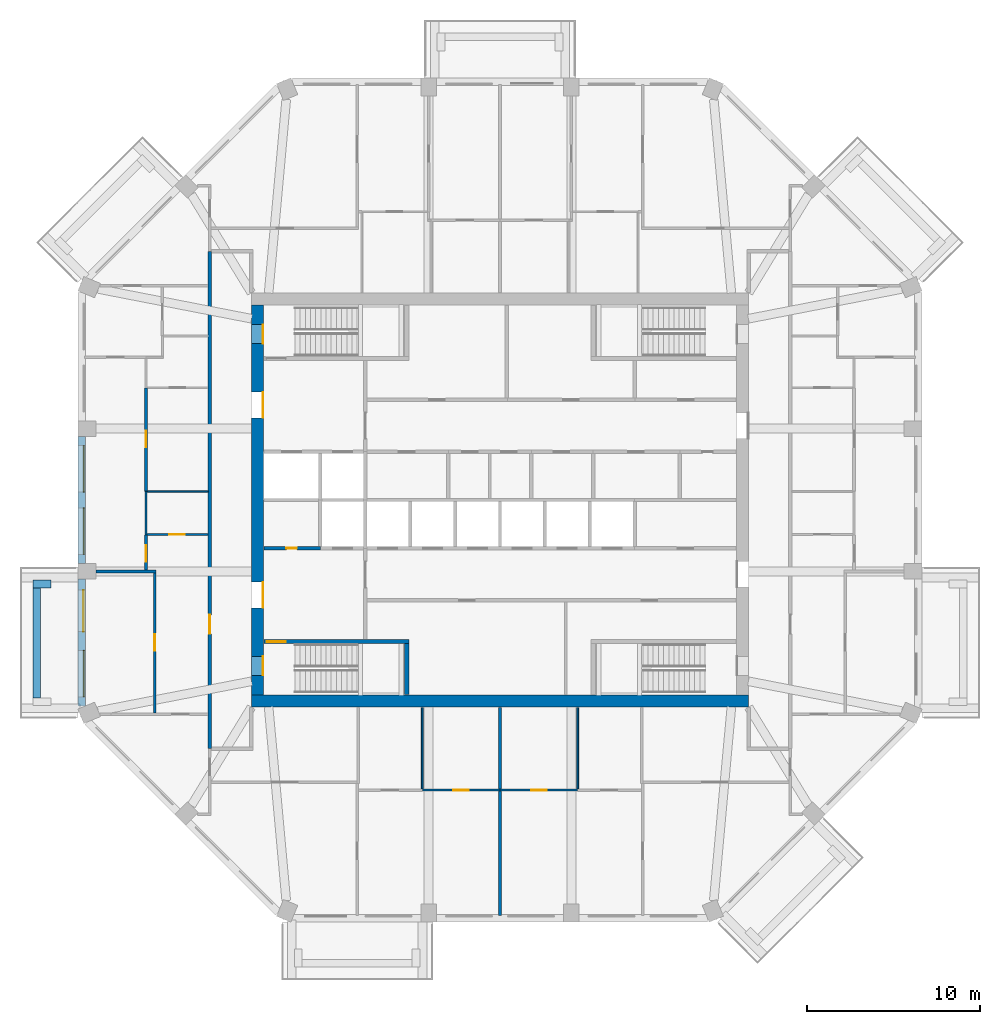
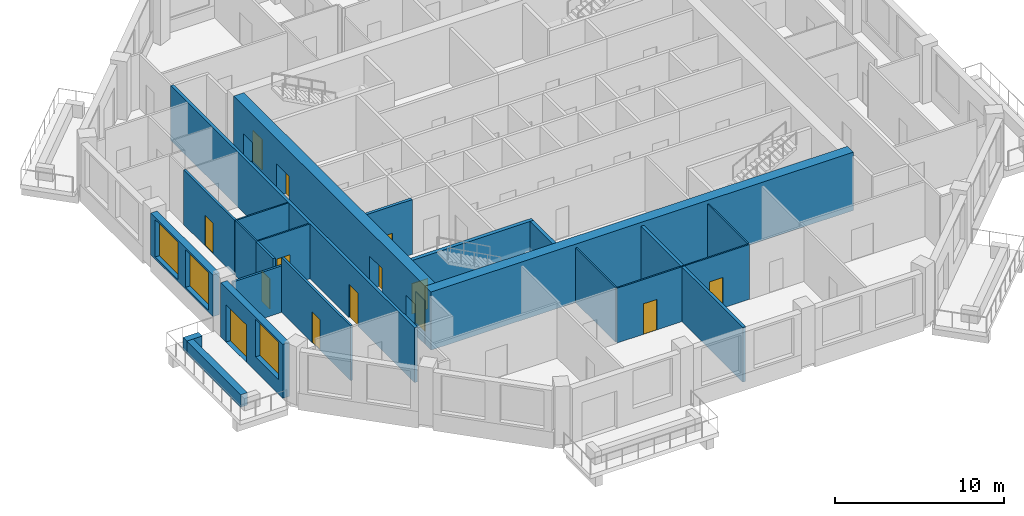
# One storey, part 3 of 10: 22 walls, 14 doors, 3 windows, 17 openings.
"""IFC4 building model written with IfcOpenShell, lengths in metres."""

from ifc_helpers import new_model, si_unit, direction, frame, frame_2d, origin, place, context, subcontext, project, spatial, rectangle, extrude, material, layer, layer_set, type_object, element, fill, save


model = new_model("IFC4")

# Units and contexts
model_context = context("Model", 3, precision=1e-05, world=origin(), true_north=direction((0.0, 1.0)))
body_context = subcontext(model_context, "Body", "Model", "MODEL_VIEW")
ifc_project = project(units=[si_unit("LENGTHUNIT", "METRE"), si_unit("AREAUNIT", "SQUARE_METRE"), si_unit("VOLUMEUNIT", "CUBIC_METRE"), si_unit("PLANEANGLEUNIT", "RADIAN"), si_unit("MASSUNIT", "GRAM", prefix="KILO")], contexts=[model_context])

# Site, building, storey
site_placement = place(None, origin())
site = spatial("IfcSite", under=ifc_project, at=site_placement, CompositionType="ELEMENT")
building_placement = place(site_placement, origin())
building = spatial("IfcBuilding", under=site, at=building_placement, Name="Msitu Wima Residences", CompositionType="ELEMENT")
storey_placement = place(building_placement, frame((0.0, 0.0, 191.699951171875)))
storey = spatial("IfcBuildingStorey", under=building, at=storey_placement, Name="L44", CompositionType="ELEMENT", Elevation=191.699951171875)

# Walls
ifc_material_1 = material(Name="Facing brick")
ifc_layer_1 = layer(ifc_material_1, 0.06494140625, Name="Facing brick")
ifc_material_2 = material(Name="Concrete C40/50", Category="concrete")
ifc_layer_2 = layer(ifc_material_2, 0.156005859375, Name="Concrete C40/50")
ifc_material_3 = material(Name="Waterproofing membrane")
ifc_layer_3 = layer(ifc_material_3, 0.00390625, Name="Waterproofing membrane")
ifc_material_4 = material(Name="Planting soil and planting")
ifc_layer_4 = layer(ifc_material_4, 0.22509765625, Name="Planting soil and planting")
ifc_layer_set_1 = layer_set([ifc_layer_1, ifc_layer_2, ifc_layer_3, ifc_layer_4], Name="Concrete C40/50")
wall_type_1 = type_object("IfcWallType", Name="Balcony planter PLANTER PL450", PredefinedType="USERDEFINED", material=ifc_layer_set_1)
wall_1_placement = place(storey_placement, frame((-26.824951171875, -5.087158203125, 0.0), z_axis=(0.0, 0.0, 1.0), x_axis=(0.0, -1.0, 0.0)))
element("IfcWall", 1, at=wall_1_placement, inside=storey, type_object=wall_type_1, Name="Balcony planter W2 L44", ObjectType="PLANTER", PredefinedType="USERDEFINED", context=body_context, shape_type="SweptSolid", body=[
    extrude(rectangle(XDim=6.37451171875, YDim=0.449951171875, at=frame_2d((3.187255859375, 0.0))), origin(), (0.0, 0.0, 1.0), 0.900146484375),
])
wall_2_placement = place(storey_placement, frame((-26.0, -4.8623046875, 0.0), z_axis=(0.0, 0.0, 1.0), x_axis=(-1.0, 0.0, 0.0)))
element("IfcWall", 2, at=wall_2_placement, inside=storey, type_object=wall_type_1, Name="Balcony planter W2 L44", ObjectType="PLANTER", PredefinedType="USERDEFINED", context=body_context, shape_type="SweptSolid", body=[
    extrude(rectangle(XDim=1.050048828125, YDim=0.449951171875, at=frame_2d((0.52490234375, 0.0))), origin(), (0.0, 0.0, 1.0), 0.900146484375),
])

# Wall, openings, windows
ifc_material_5 = material(Name="Brick (red buff mix)", Category="masonry")
ifc_layer_5 = layer(ifc_material_5, 0.449951171875)
ifc_layer_set_2 = layer_set([ifc_layer_5], Name="Brick (red buff mix)")
wall_type_2 = type_object("IfcWallType", Name="Brick infill wall BW450", PredefinedType="SOLIDWALL", material=ifc_layer_set_2)
wall_3_placement = place(storey_placement, frame((-24.22509765625, 3.687255859375, 0.900146484375), z_axis=(0.0, 0.0, 1.0), x_axis=(0.0, -1.0, 0.0)))
wall_3 = element("IfcWall", 3, at=wall_3_placement, inside=storey, type_object=wall_type_2, Name="Brick infill wall L44 W1", PredefinedType="SOLIDWALL", context=body_context, shape_type="SweptSolid", body=[
    extrude(rectangle(XDim=7.37451171875, YDim=0.449951171875, at=frame_2d((3.687255859375, 0.0))), origin(), (0.0, 0.0, 1.0), 3.0),
])
opening_1_placement = place(wall_3_placement, frame((0.537353515625, 0.0, 0.14990234375)))
opening_1 = element("IfcOpeningElement", 4, at=opening_1_placement, cuts=wall_3, Name="Opening W43-45.031", PredefinedType="OPENING", context=body_context, shape_type="SweptSolid", body=[
    extrude(rectangle(XDim=2.699951171875, YDim=2.699951171875, at=frame_2d((1.35009765625, 1.35009765625))), frame((0.0, 0.23486328125, 0.0), z_axis=(0.0, -1.0, 0.0), x_axis=(1.0, 0.0, 0.0)), (0.0, 0.0, 1.0), 0.469970703125),
])
opening_2_placement = place(wall_3_placement, frame((4.13720703125, 0.0, 0.14990234375)))
opening_2 = element("IfcOpeningElement", 5, at=opening_2_placement, cuts=wall_3, Name="Opening W43-45.032", PredefinedType="OPENING", context=body_context, shape_type="SweptSolid", body=[
    extrude(rectangle(XDim=2.699951171875, YDim=2.699951171875, at=frame_2d((1.35009765625, 1.35009765625))), frame((0.0, 0.23486328125, 0.0), z_axis=(0.0, -1.0, 0.0), x_axis=(1.0, 0.0, 0.0)), (0.0, 0.0, 1.0), 0.469970703125),
])
ifc_material_6 = material(Name="Anodised aluminium, bronze finish, clear low-emissivity double glazing", Category="aluminium")
window_type = type_object("IfcWindowType", Name="Window W2700x2700", PartitioningType="DOUBLE_PANEL_VERTICAL", PredefinedType="WINDOW", material=ifc_material_6)
window_1_placement = place(opening_1_placement, origin())
window_1 = element("IfcWindow", 6, at=window_1_placement, inside=storey, type_object=window_type, Name="Window L44 W1.1", OverallHeight=2.699951171875, OverallWidth=2.699951171875, PartitioningType="SINGLE_PANEL", PredefinedType="WINDOW", context=body_context, shape_type="SweptSolid", body=[
    extrude(rectangle(XDim=2.699951171875, YDim=2.699951171875, at=frame_2d((1.35009765625, 1.35009765625))), frame((0.0, 0.135009765625, 0.0), z_axis=(0.0, -1.0, 0.0), x_axis=(1.0, 0.0, 0.0)), (0.0, 0.0, 1.0), 0.06005859375),
])
fill(opening_1, window_1)
window_2_placement = place(opening_2_placement, origin())
window_2 = element("IfcWindow", 7, at=window_2_placement, inside=storey, type_object=window_type, Name="Window L44 W1.2", OverallHeight=2.699951171875, OverallWidth=2.699951171875, PartitioningType="SINGLE_PANEL", PredefinedType="WINDOW", context=body_context, shape_type="SweptSolid", body=[
    extrude(rectangle(XDim=2.699951171875, YDim=2.699951171875, at=frame_2d((1.35009765625, 1.35009765625))), frame((0.0, 0.135009765625, 0.0), z_axis=(0.0, -1.0, 0.0), x_axis=(1.0, 0.0, 0.0)), (0.0, 0.0, 1.0), 0.06005859375),
])
fill(opening_2, window_2)

# Wall, openings, door, window
wall_4_placement = place(storey_placement, frame((-24.22509765625, -4.587158203125, 0.0), z_axis=(0.0, 0.0, 1.0), x_axis=(0.0, -1.0, 0.0)))
wall_4 = element("IfcWall", 8, at=wall_4_placement, inside=storey, type_object=wall_type_2, Name="Brick infill wall L44 W2", PredefinedType="SOLIDWALL", context=body_context, shape_type="SweptSolid", body=[
    extrude(rectangle(XDim=7.337646484375, YDim=0.449951171875, at=frame_2d((3.6689453125, 0.0))), origin(), (0.0, 0.0, 1.0), 3.900146484375),
])
opening_3_placement = place(wall_4_placement, frame((0.63427734375, 0.0, 0.0)))
opening_3 = element("IfcOpeningElement", 9, at=opening_3_placement, cuts=wall_4, Name="Opening D43-45.007", PredefinedType="OPENING", context=body_context, shape_type="SweptSolid", body=[
    extrude(rectangle(XDim=2.39990234375, YDim=2.699951171875, at=frame_2d((1.199951171875, 1.35009765625))), frame((0.0, 0.23486328125, 0.0), z_axis=(0.0, -1.0, 0.0), x_axis=(1.0, 0.0, 0.0)), (0.0, 0.0, 1.0), 0.469970703125),
])
opening_4_placement = place(wall_4_placement, frame((4.11865234375, 0.0, 1.050048828125)))
opening_4 = element("IfcOpeningElement", 10, at=opening_4_placement, cuts=wall_4, Name="Opening W43-45.033", PredefinedType="OPENING", context=body_context, shape_type="SweptSolid", body=[
    extrude(rectangle(XDim=2.699951171875, YDim=2.699951171875, at=frame_2d((1.35009765625, 1.35009765625))), frame((0.0, 0.23486328125, 0.0), z_axis=(0.0, -1.0, 0.0), x_axis=(1.0, 0.0, 0.0)), (0.0, 0.0, 1.0), 0.469970703125),
])
door_type_1 = type_object("IfcDoorType", Name="Balcony door D2400x2700", OperationType="SLIDING_TO_LEFT", PredefinedType="DOOR", material=ifc_material_6)
door_1_placement = place(opening_3_placement, origin())
door_1 = element("IfcDoor", 11, at=door_1_placement, inside=storey, type_object=door_type_1, Name="Balcony door L44 W2", OperationType="SINGLE_SWING_LEFT", OverallHeight=2.699951171875, OverallWidth=2.39990234375, PredefinedType="DOOR", context=body_context, shape_type="SweptSolid", body=[
    extrude(rectangle(XDim=2.39990234375, YDim=2.699951171875, at=frame_2d((1.199951171875, 1.35009765625))), frame((0.0, 0.1298828125, 0.0), z_axis=(0.0, -1.0, 0.0), x_axis=(1.0, 0.0, 0.0)), (0.0, 0.0, 1.0), 0.050048828125),
])
fill(opening_3, door_1)
window_3_placement = place(opening_4_placement, origin())
window_3 = element("IfcWindow", 12, at=window_3_placement, inside=storey, type_object=window_type, Name="Window L44 W2.2", OverallHeight=2.699951171875, OverallWidth=2.699951171875, PartitioningType="SINGLE_PANEL", PredefinedType="WINDOW", context=body_context, shape_type="SweptSolid", body=[
    extrude(rectangle(XDim=2.699951171875, YDim=2.699951171875, at=frame_2d((1.35009765625, 1.35009765625))), frame((0.0, 0.135009765625, 0.0), z_axis=(0.0, -1.0, 0.0), x_axis=(1.0, 0.0, 0.0)), (0.0, 0.0, 1.0), 0.06005859375),
])
fill(opening_4, window_3)

# Wall
ifc_material_7 = material(Name="Concrete C60/75", Category="concrete")
ifc_layer_6 = layer(ifc_material_7, 0.699951171875)
ifc_layer_set_3 = layer_set([ifc_layer_6], Name="Concrete C60/75")
wall_type_3 = type_object("IfcWallType", Name="Core wall CW700 C60/75", PredefinedType="SHEAR", material=ifc_layer_set_3)
wall_5_placement = place(storey_placement, frame((-14.39990234375, -11.64990234375, 0.0), z_axis=(0.0, 0.0, 1.0), x_axis=(1.0, 0.0, 0.0)))
element("IfcWall", 13, at=wall_5_placement, inside=storey, type_object=wall_type_3, Name="Core wall", PredefinedType="SHEAR", context=body_context, shape_type="SweptSolid", body=[
    extrude(rectangle(XDim=28.7998046875, YDim=0.699951171875, at=frame_2d((14.39990234375, 0.0))), origin(), (0.0, 0.0, 1.0), 4.199951171875),
])

# Wall, openings, doors
wall_6_placement = place(storey_placement, frame((-14.050048828125, -11.300048828125, 0.0), z_axis=(0.0, 0.0, 1.0), x_axis=(0.0, 1.0, 0.0)))
wall_6 = element("IfcWall", 14, at=wall_6_placement, inside=storey, type_object=wall_type_3, Name="Core wall", PredefinedType="SHEAR", context=body_context, shape_type="SweptSolid", body=[
    extrude(rectangle(XDim=22.60009765625, YDim=0.699951171875, at=frame_2d((11.300048828125, 0.0))), origin(), (0.0, 0.0, 1.0), 4.199951171875),
])
opening_5_placement = place(wall_6_placement, frame((20.35009765625, 0.0, 0.0)))
opening_5 = element("IfcOpeningElement", 15, at=opening_5_placement, cuts=wall_6, Name="Opening D43-45.069", PredefinedType="OPENING", context=body_context, shape_type="SweptSolid", body=[
    extrude(rectangle(XDim=1.10009765625, YDim=2.199951171875, at=frame_2d((0.550048828125, 1.10009765625))), frame((0.0, 0.35986328125, 0.0), z_axis=(0.0, -1.0, 0.0), x_axis=(1.0, 0.0, 0.0)), (0.0, 0.0, 1.0), 0.719970703125),
])
opening_6_placement = place(wall_6_placement, frame((1.14990234375, 0.0, 0.0)))
opening_6 = element("IfcOpeningElement", 16, at=opening_6_placement, cuts=wall_6, Name="Opening D43-45.071", PredefinedType="OPENING", context=body_context, shape_type="SweptSolid", body=[
    extrude(rectangle(XDim=1.10009765625, YDim=2.199951171875, at=frame_2d((0.550048828125, 1.10009765625))), frame((0.0, 0.35986328125, 0.0), z_axis=(0.0, -1.0, 0.0), x_axis=(1.0, 0.0, 0.0)), (0.0, 0.0, 1.0), 0.719970703125),
])
opening_7_placement = place(wall_6_placement, frame((16.050048828125, 0.0, 0.0)))
opening_7 = element("IfcOpeningElement", 17, at=opening_7_placement, cuts=wall_6, Name="Opening D43-45.051", PredefinedType="OPENING", context=body_context, shape_type="SweptSolid", body=[
    extrude(rectangle(XDim=1.5, YDim=2.39990234375, at=frame_2d((0.75, 1.199951171875))), frame((0.0, 0.35986328125, 0.0), z_axis=(0.0, -1.0, 0.0), x_axis=(1.0, 0.0, 0.0)), (0.0, 0.0, 1.0), 0.719970703125),
])
opening_8_placement = place(wall_6_placement, frame((5.050048828125, 0.0, 0.0)))
opening_8 = element("IfcOpeningElement", 18, at=opening_8_placement, cuts=wall_6, Name="Opening D43-45.053", PredefinedType="OPENING", context=body_context, shape_type="SweptSolid", body=[
    extrude(rectangle(XDim=1.5, YDim=2.39990234375, at=frame_2d((0.75, 1.199951171875))), frame((0.0, 0.35986328125, 0.0), z_axis=(0.0, -1.0, 0.0), x_axis=(1.0, 0.0, 0.0)), (0.0, 0.0, 1.0), 0.719970703125),
])
ifc_material_8 = material(Name="Steel framed glazed door, fire resisting", Category="steel")
door_type_2 = type_object("IfcDoorType", Name="Lobby door D07 1500x2400", OperationType="DOUBLE_DOOR_SINGLE_SWING", PredefinedType="DOOR", material=ifc_material_8)
door_2_placement = place(opening_7_placement, origin())
door_2 = element("IfcDoor", 19, at=door_2_placement, inside=storey, type_object=door_type_2, Name="Lobby door", OperationType="DOUBLE_DOOR_SINGLE_SWING", OverallHeight=2.39990234375, OverallWidth=1.5, PredefinedType="DOOR", context=body_context, shape_type="SweptSolid", body=[
    extrude(rectangle(XDim=1.5, YDim=2.39990234375, at=frame_2d((0.75, 1.199951171875))), frame((0.0, -0.294921875, 0.0), z_axis=(0.0, -1.0, 0.0), x_axis=(1.0, 0.0, 0.0)), (0.0, 0.0, 1.0), 0.050048828125),
])
fill(opening_7, door_2)
door_3_placement = place(opening_8_placement, origin())
door_3 = element("IfcDoor", 20, at=door_3_placement, inside=storey, type_object=door_type_2, Name="Lobby door", OperationType="DOUBLE_DOOR_SINGLE_SWING", OverallHeight=2.39990234375, OverallWidth=1.5, PredefinedType="DOOR", context=body_context, shape_type="SweptSolid", body=[
    extrude(rectangle(XDim=1.5, YDim=2.39990234375, at=frame_2d((0.75, 1.199951171875))), frame((0.0, -0.294921875, 0.0), z_axis=(0.0, -1.0, 0.0), x_axis=(1.0, 0.0, 0.0)), (0.0, 0.0, 1.0), 0.050048828125),
])
fill(opening_8, door_3)
ifc_material_9 = material(Name="Steel door, fire resisting, panic bar", Category="steel")
door_type_3 = type_object("IfcDoorType", Name="Stair door D06 1100x2200", OperationType="SINGLE_SWING_LEFT", PredefinedType="DOOR", material=ifc_material_9)
door_4_placement = place(opening_5_placement, origin())
door_4 = element("IfcDoor", 21, at=door_4_placement, inside=storey, type_object=door_type_3, Name="Stair door", OperationType="SINGLE_SWING_RIGHT", OverallHeight=2.199951171875, OverallWidth=1.10009765625, PredefinedType="DOOR", context=body_context, shape_type="SweptSolid", body=[
    extrude(rectangle(XDim=1.10009765625, YDim=2.199951171875, at=frame_2d((0.550048828125, 1.10009765625))), frame((0.0, -0.294921875, 0.0), z_axis=(0.0, -1.0, 0.0), x_axis=(1.0, 0.0, 0.0)), (0.0, 0.0, 1.0), 0.050048828125),
])
fill(opening_5, door_4)
door_5_placement = place(opening_6_placement, origin())
door_5 = element("IfcDoor", 22, at=door_5_placement, inside=storey, type_object=door_type_3, Name="Stair door", OperationType="SINGLE_SWING_LEFT", OverallHeight=2.199951171875, OverallWidth=1.10009765625, PredefinedType="DOOR", context=body_context, shape_type="SweptSolid", body=[
    extrude(rectangle(XDim=1.10009765625, YDim=2.199951171875, at=frame_2d((0.550048828125, 1.10009765625))), frame((0.0, -0.294921875, 0.0), z_axis=(0.0, -1.0, 0.0), x_axis=(1.0, 0.0, 0.0)), (0.0, 0.0, 1.0), 0.050048828125),
])
fill(opening_6, door_5)

# Wall, opening, door
ifc_material_10 = material(Name="Plaster")
ifc_layer_7 = layer(ifc_material_10, 0.011962890625, Name="Plaster")
ifc_material_11 = material(Name="Concrete blockwork", Category="masonry")
ifc_layer_8 = layer(ifc_material_11, 0.176025390625, Name="Concrete blockwork")
ifc_layer_9 = layer(ifc_material_10, 0.011962890625, Name="Plaster")
ifc_layer_set_4 = layer_set([ifc_layer_7, ifc_layer_8, ifc_layer_9], Name="Concrete blockwork")
wall_type_4 = type_object("IfcWallType", Name="Corridor wall FW200", PredefinedType="PARTITIONING", material=ifc_layer_set_4)
wall_7_placement = place(storey_placement, frame((-16.800048828125, -14.39990234375, 0.0), z_axis=(0.0, 0.0, 1.0), x_axis=(0.0, 1.0, 0.0)))
wall_7 = element("IfcWall", 23, at=wall_7_placement, inside=storey, type_object=wall_type_4, Name="Corridor wall", PredefinedType="PARTITIONING", context=body_context, shape_type="SweptSolid", body=[
    extrude(rectangle(XDim=28.7998046875, YDim=0.199951171875, at=frame_2d((14.39990234375, 0.0))), origin(), (0.0, 0.0, 1.0), 3.949951171875),
])
opening_9_placement = place(wall_7_placement, frame((6.64990234375, 0.0, 0.0)))
opening_9 = element("IfcOpeningElement", 24, at=opening_9_placement, cuts=wall_7, Name="Opening D43-45.029", PredefinedType="OPENING", context=body_context, shape_type="SweptSolid", body=[
    extrude(rectangle(XDim=1.10009765625, YDim=2.39990234375, at=frame_2d((0.550048828125, 1.199951171875))), frame((0.0, 0.10986328125, 0.0), z_axis=(0.0, -1.0, 0.0), x_axis=(1.0, 0.0, 0.0)), (0.0, 0.0, 1.0), 0.219970703125),
])
ifc_material_12 = material(Name="Timber flush door, fire resisting, self-closing", Category="wood")
door_type_4 = type_object("IfcDoorType", Name="Flat entrance door D01 1100x2400", OperationType="SINGLE_SWING_LEFT", PredefinedType="DOOR", material=ifc_material_12)
door_6_placement = place(opening_9_placement, origin())
door_6 = element("IfcDoor", 25, at=door_6_placement, inside=storey, type_object=door_type_4, Name="Flat entrance door", OperationType="SINGLE_SWING_LEFT", OverallHeight=2.39990234375, OverallWidth=1.10009765625, PredefinedType="DOOR", context=body_context, shape_type="SweptSolid", body=[
    extrude(rectangle(XDim=1.10009765625, YDim=2.39990234375, at=frame_2d((0.550048828125, 1.199951171875))), frame((0.0, 0.02490234375, 0.0), z_axis=(0.0, -1.0, 0.0), x_axis=(1.0, 0.0, 0.0)), (0.0, 0.0, 1.0), 0.050048828125),
])
fill(opening_9, door_6)

# Wall
ifc_layer_10 = layer(ifc_material_10, 0.011962890625, Name="Plaster")
ifc_layer_11 = layer(ifc_material_11, 0.1259765625, Name="Concrete blockwork")
ifc_layer_12 = layer(ifc_material_10, 0.011962890625, Name="Plaster")
ifc_layer_set_5 = layer_set([ifc_layer_10, ifc_layer_11, ifc_layer_12], Name="Concrete blockwork")
wall_type_5 = type_object("IfcWallType", Name="Partition PW150", PredefinedType="PARTITIONING", material=ifc_layer_set_5)
wall_8_placement = place(storey_placement, frame((-23.39990234375, -4.139892578125, 0.0), z_axis=(0.0, 0.0, 1.0), x_axis=(1.0, 0.0, 0.0)))
element("IfcWall", 26, at=wall_8_placement, inside=storey, type_object=wall_type_5, Name="Partition", PredefinedType="PARTITIONING", context=body_context, shape_type="SweptSolid", body=[
    extrude(rectangle(XDim=3.474853515625, YDim=0.14990234375, at=frame_2d((1.7373046875, 0.0))), origin(), (0.0, 0.0, 1.0), 3.35009765625),
])

# Wall, opening, door
wall_9_placement = place(storey_placement, frame((-20.5, -4.06494140625, 0.0), z_axis=(0.0, 0.0, 1.0), x_axis=(0.0, 1.0, 0.0)))
wall_9 = element("IfcWall", 27, at=wall_9_placement, inside=storey, type_object=wall_type_5, Name="Partition", PredefinedType="PARTITIONING", context=body_context, shape_type="SweptSolid", body=[
    extrude(rectangle(XDim=2.044921875, YDim=0.14990234375, at=frame_2d((1.0224609375, 0.0))), origin(), (0.0, 0.0, 1.0), 3.949951171875),
])
opening_10_placement = place(wall_9_placement, frame((0.5, 0.0, 0.0)))
opening_10 = element("IfcOpeningElement", 28, at=opening_10_placement, cuts=wall_9, Name="Opening D43-45.044", PredefinedType="OPENING", context=body_context, shape_type="SweptSolid", body=[
    extrude(rectangle(XDim=0.949951171875, YDim=2.199951171875, at=frame_2d((0.47509765625, 1.10009765625))), frame((0.0, 0.0849609375, 0.0), z_axis=(0.0, -1.0, 0.0), x_axis=(1.0, 0.0, 0.0)), (0.0, 0.0, 1.0), 0.169921875),
])
ifc_material_13 = material(Name="Timber flush door", Category="wood")
door_type_5 = type_object("IfcDoorType", Name="Room door D12 950x2200", OperationType="SINGLE_SWING_LEFT", PredefinedType="DOOR", material=ifc_material_13)
door_7_placement = place(opening_10_placement, origin())
door_7 = element("IfcDoor", 29, at=door_7_placement, inside=storey, type_object=door_type_5, Name="Room door", OperationType="SINGLE_SWING_LEFT", OverallHeight=2.199951171875, OverallWidth=0.949951171875, PredefinedType="DOOR", context=body_context, shape_type="SweptSolid", body=[
    extrude(rectangle(XDim=0.949951171875, YDim=2.199951171875, at=frame_2d((0.47509765625, 1.10009765625))), frame((0.0, 0.02490234375, 0.0), z_axis=(0.0, -1.0, 0.0), x_axis=(1.0, 0.0, 0.0)), (0.0, 0.0, 1.0), 0.050048828125),
])
fill(opening_10, door_7)

wall_10_placement = place(storey_placement, frame((-20.5, 0.5, 0.0), z_axis=(0.0, 0.0, 1.0), x_axis=(0.0, 1.0, 0.0)))
wall_10 = element("IfcWall", 30, at=wall_10_placement, inside=storey, type_object=wall_type_5, Name="Partition", PredefinedType="PARTITIONING", context=body_context, shape_type="SweptSolid", body=[
    extrude(rectangle(XDim=6.0, YDim=0.14990234375, at=frame_2d((3.0, 0.0))), origin(), (0.0, 0.0, 1.0), 3.949951171875),
])
opening_11_placement = place(wall_10_placement, frame((2.550048828125, 0.0, 0.0)))
opening_11 = element("IfcOpeningElement", 31, at=opening_11_placement, cuts=wall_10, Name="Opening D43-45.031", PredefinedType="OPENING", context=body_context, shape_type="SweptSolid", body=[
    extrude(rectangle(XDim=0.949951171875, YDim=2.199951171875, at=frame_2d((0.47509765625, 1.10009765625))), frame((0.0, 0.0849609375, 0.0), z_axis=(0.0, -1.0, 0.0), x_axis=(1.0, 0.0, 0.0)), (0.0, 0.0, 1.0), 0.169921875),
])
door_8_placement = place(opening_11_placement, origin())
door_8 = element("IfcDoor", 32, at=door_8_placement, inside=storey, type_object=door_type_5, Name="Room door", OperationType="SINGLE_SWING_RIGHT", OverallHeight=2.199951171875, OverallWidth=0.949951171875, PredefinedType="DOOR", context=body_context, shape_type="SweptSolid", body=[
    extrude(rectangle(XDim=0.949951171875, YDim=2.199951171875, at=frame_2d((0.47509765625, 1.10009765625))), frame((0.0, 0.02490234375, 0.0), z_axis=(0.0, -1.0, 0.0), x_axis=(1.0, 0.0, 0.0)), (0.0, 0.0, 1.0), 0.050048828125),
])
fill(opening_11, door_8)

wall_11_placement = place(storey_placement, frame((-20.0, -12.3349609375, 0.0), z_axis=(0.0, 0.0, 1.0), x_axis=(0.0, 1.0, 0.0)))
wall_11 = element("IfcWall", 33, at=wall_11_placement, inside=storey, type_object=wall_type_5, Name="Partition", PredefinedType="PARTITIONING", context=body_context, shape_type="SweptSolid", body=[
    extrude(rectangle(XDim=8.119873046875, YDim=0.14990234375, at=frame_2d((4.06005859375, 0.0))), origin(), (0.0, 0.0, 1.0), 3.949951171875),
])
opening_12_placement = place(wall_11_placement, frame((3.60009765625, 0.0, 0.0)))
opening_12 = element("IfcOpeningElement", 34, at=opening_12_placement, cuts=wall_11, Name="Opening D43-45.043", PredefinedType="OPENING", context=body_context, shape_type="SweptSolid", body=[
    extrude(rectangle(XDim=0.949951171875, YDim=2.199951171875, at=frame_2d((0.47509765625, 1.10009765625))), frame((0.0, 0.0849609375, 0.0), z_axis=(0.0, -1.0, 0.0), x_axis=(1.0, 0.0, 0.0)), (0.0, 0.0, 1.0), 0.169921875),
])
door_9_placement = place(opening_12_placement, origin())
door_9 = element("IfcDoor", 35, at=door_9_placement, inside=storey, type_object=door_type_5, Name="Room door", OperationType="SINGLE_SWING_RIGHT", OverallHeight=2.199951171875, OverallWidth=0.949951171875, PredefinedType="DOOR", context=body_context, shape_type="SweptSolid", body=[
    extrude(rectangle(XDim=0.949951171875, YDim=2.199951171875, at=frame_2d((0.47509765625, 1.10009765625))), frame((0.0, 0.02490234375, 0.0), z_axis=(0.0, -1.0, 0.0), x_axis=(1.0, 0.0, 0.0)), (0.0, 0.0, 1.0), 0.050048828125),
])
fill(opening_12, door_9)

# Wall
ifc_layer_13 = layer(ifc_material_10, 0.011962890625, Name="Plaster")
ifc_material_14 = material(Name="Dense concrete blockwork", Category="masonry")
ifc_layer_14 = layer(ifc_material_14, 0.176025390625, Name="Dense concrete blockwork")
ifc_layer_15 = layer(ifc_material_10, 0.011962890625, Name="Plaster")
ifc_layer_set_6 = layer_set([ifc_layer_13, ifc_layer_14, ifc_layer_15], Name="Dense concrete blockwork")
wall_type_6 = type_object("IfcWallType", Name="Party wall PW200", PredefinedType="PARTITIONING", material=ifc_layer_set_6)
wall_12_placement = place(storey_placement, frame((0.0, -24.054931640625, 0.0), z_axis=(0.0, 0.0, 1.0), x_axis=(0.0, 1.0, 0.0)))
element("IfcWall", 36, at=wall_12_placement, inside=storey, type_object=wall_type_6, Name="Party wall", PredefinedType="PARTITIONING", context=body_context, shape_type="SweptSolid", body=[
    extrude(rectangle(XDim=12.02490234375, YDim=0.199951171875, at=frame_2d((6.012451171875, 0.0))), origin(), (0.0, 0.0, 1.0), 3.949951171875),
])

# Wall, opening, door
ifc_layer_16 = layer(ifc_material_10, 0.011962890625, Name="Plaster")
ifc_material_15 = material(Name="Reinforced concrete blockwork", Category="masonry")
ifc_layer_17 = layer(ifc_material_15, 0.176025390625, Name="Reinforced concrete blockwork")
ifc_layer_18 = layer(ifc_material_10, 0.011962890625, Name="Plaster")
ifc_layer_set_7 = layer_set([ifc_layer_16, ifc_layer_17, ifc_layer_18], Name="Reinforced concrete blockwork")
wall_type_7 = type_object("IfcWallType", Name="Plant and riser wall PL200", PredefinedType="PARTITIONING", material=ifc_layer_set_7)
wall_13_placement = place(storey_placement, frame((-13.669921875, -2.800048828125, 0.0), z_axis=(0.0, 0.0, 1.0), x_axis=(1.0, 0.0, 0.0)))
wall_13 = element("IfcWall", 37, at=wall_13_placement, inside=storey, type_object=wall_type_7, Name="Plant and riser wall", PredefinedType="PARTITIONING", context=body_context, shape_type="SweptSolid", body=[
    extrude(rectangle(XDim=3.27001953125, YDim=0.199951171875, at=frame_2d((1.635009765625, 0.0))), origin(), (0.0, 0.0, 1.0), 3.949951171875),
])
opening_13_placement = place(wall_13_placement, frame((1.300048828125, 0.0, 0.0)))
opening_13 = element("IfcOpeningElement", 38, at=opening_13_placement, cuts=wall_13, Name="Opening D43-45.068", PredefinedType="OPENING", context=body_context, shape_type="SweptSolid", body=[
    extrude(rectangle(XDim=0.60009765625, YDim=2.0, at=frame_2d((0.300048828125, 1.0))), frame((0.0, 0.10986328125, 0.0), z_axis=(0.0, -1.0, 0.0), x_axis=(1.0, 0.0, 0.0)), (0.0, 0.0, 1.0), 0.219970703125),
])
ifc_material_16 = material(Name="Steel access door, fire resisting", Category="steel")
door_type_6 = type_object("IfcDoorType", Name="Riser access door D08 600x2000", OperationType="SINGLE_SWING_LEFT", PredefinedType="DOOR", material=ifc_material_16)
door_10_placement = place(opening_13_placement, origin())
door_10 = element("IfcDoor", 39, at=door_10_placement, inside=storey, type_object=door_type_6, Name="Riser access door", OperationType="SINGLE_SWING_RIGHT", OverallHeight=2.0, OverallWidth=0.60009765625, PredefinedType="DOOR", context=body_context, shape_type="SweptSolid", body=[
    extrude(rectangle(XDim=0.60009765625, YDim=2.0, at=frame_2d((0.300048828125, 1.0))), frame((0.0, 0.02490234375, 0.0), z_axis=(0.0, -1.0, 0.0), x_axis=(1.0, 0.0, 0.0)), (0.0, 0.0, 1.0), 0.050048828125),
])
fill(opening_13, door_10)

ifc_material_17 = material(Name="Concrete C50/60", Category="concrete")
ifc_layer_19 = layer(ifc_material_17, 0.25)
ifc_layer_set_8 = layer_set([ifc_layer_19], Name="Concrete C50/60")
wall_type_8 = type_object("IfcWallType", Name="Stair enclosure wall SW250", PredefinedType="SHEAR", material=ifc_layer_set_8)
wall_14_placement = place(storey_placement, frame((-13.669921875, -8.199951171875, 0.0), z_axis=(0.0, 0.0, 1.0), x_axis=(1.0, 0.0, 0.0)))
wall_14 = element("IfcWall", 40, at=wall_14_placement, inside=storey, type_object=wall_type_8, Name="Stair enclosure wall", PredefinedType="SHEAR", context=body_context, shape_type="SweptSolid", body=[
    extrude(rectangle(XDim=8.39501953125, YDim=0.25, at=frame_2d((4.197509765625, 0.0))), origin(), (0.0, 0.0, 1.0), 3.949951171875),
])
opening_14_placement = place(wall_14_placement, frame((0.14990234375, 0.0, 0.0)))
opening_14 = element("IfcOpeningElement", 41, at=opening_14_placement, cuts=wall_14, Name="Opening D43-45.072", PredefinedType="OPENING", context=body_context, shape_type="SweptSolid", body=[
    extrude(rectangle(XDim=1.10009765625, YDim=2.199951171875, at=frame_2d((0.550048828125, 1.10009765625))), frame((0.0, 0.135009765625, 0.0), z_axis=(0.0, -1.0, 0.0), x_axis=(1.0, 0.0, 0.0)), (0.0, 0.0, 1.0), 0.27001953125),
])
door_11_placement = place(opening_14_placement, origin())
door_11 = element("IfcDoor", 42, at=door_11_placement, inside=storey, type_object=door_type_3, Name="Stair door", OperationType="SINGLE_SWING_RIGHT", OverallHeight=2.199951171875, OverallWidth=1.10009765625, PredefinedType="DOOR", context=body_context, shape_type="SweptSolid", body=[
    extrude(rectangle(XDim=1.10009765625, YDim=2.199951171875, at=frame_2d((0.550048828125, 1.10009765625))), frame((0.0, 0.02490234375, 0.0), z_axis=(0.0, -1.0, 0.0), x_axis=(1.0, 0.0, 0.0)), (0.0, 0.0, 1.0), 0.050048828125),
])
fill(opening_14, door_11)

# Walls
wall_15_placement = place(storey_placement, frame((-5.39990234375, -11.27001953125, 0.0), z_axis=(0.0, 0.0, 1.0), x_axis=(0.0, 1.0, 0.0)))
element("IfcWall", 43, at=wall_15_placement, inside=storey, type_object=wall_type_8, Name="Stair enclosure wall", PredefinedType="SHEAR", context=body_context, shape_type="SweptSolid", body=[
    extrude(rectangle(XDim=2.945068359375, YDim=0.25, at=frame_2d((1.47265625, 0.0))), origin(), (0.0, 0.0, 1.0), 3.949951171875),
])
ifc_material_18 = material(Name="Ceramic tiles")
ifc_layer_20 = layer(ifc_material_18, 0.008056640625, Name="Ceramic tiles")
ifc_material_19 = material(Name="Moisture-resistant board")
ifc_layer_21 = layer(ifc_material_19, 0.012451171875, Name="Moisture-resistant board")
ifc_material_20 = material(Name="Light-gauge stud framing with mineral wool")
ifc_layer_22 = layer(ifc_material_20, 0.06689453125, Name="Light-gauge stud framing with mineral wool")
ifc_layer_23 = layer(ifc_material_19, 0.012451171875, Name="Moisture-resistant board")
ifc_layer_set_9 = layer_set([ifc_layer_20, ifc_layer_21, ifc_layer_22, ifc_layer_23], Name="Light-gauge stud framing with mineral wool")
wall_type_9 = type_object("IfcWallType", Name="Wet wall PW100", PredefinedType="PARTITIONING", material=ifc_layer_set_9)
wall_16_placement = place(storey_placement, frame((-20.5, -2.02001953125, 0.0), z_axis=(0.0, 0.0, 1.0), x_axis=(0.0, 1.0, 0.0)))
element("IfcWall", 44, at=wall_16_placement, inside=storey, type_object=wall_type_9, Name="Wet wall", PredefinedType="PARTITIONING", context=body_context, shape_type="SweptSolid", body=[
    extrude(rectangle(XDim=2.52001953125, YDim=0.10009765625, at=frame_2d((1.260009765625, 0.0))), origin(), (0.0, 0.0, 1.0), 3.949951171875),
])

# Wall, opening, door
wall_17_placement = place(storey_placement, frame((-20.449951171875, -2.0, 0.0), z_axis=(0.0, 0.0, 1.0), x_axis=(1.0, 0.0, 0.0)))
wall_17 = element("IfcWall", 45, at=wall_17_placement, inside=storey, type_object=wall_type_9, Name="Wet wall", PredefinedType="PARTITIONING", context=body_context, shape_type="SweptSolid", body=[
    extrude(rectangle(XDim=3.550048828125, YDim=0.10009765625, at=frame_2d((1.77490234375, 0.0))), origin(), (0.0, 0.0, 1.0), 3.949951171875),
])
opening_15_placement = place(wall_17_placement, frame((1.300048828125, 0.0, 0.0)))
opening_15 = element("IfcOpeningElement", 46, at=opening_15_placement, cuts=wall_17, Name="Opening D43-45.041", PredefinedType="OPENING", context=body_context, shape_type="SweptSolid", body=[
    extrude(rectangle(XDim=0.89990234375, YDim=2.199951171875, at=frame_2d((0.449951171875, 1.10009765625))), frame((0.0, 0.06005859375, 0.0), z_axis=(0.0, -1.0, 0.0), x_axis=(1.0, 0.0, 0.0)), (0.0, 0.0, 1.0), 0.1201171875),
])
ifc_material_21 = material(Name="Timber flush door, moisture resistant", Category="wood")
door_type_7 = type_object("IfcDoorType", Name="Bathroom door D03 900x2200", OperationType="SINGLE_SWING_LEFT", PredefinedType="DOOR", material=ifc_material_21)
door_12_placement = place(opening_15_placement, origin())
door_12 = element("IfcDoor", 47, at=door_12_placement, inside=storey, type_object=door_type_7, Name="Bathroom door", OperationType="SINGLE_SWING_LEFT", OverallHeight=2.199951171875, OverallWidth=0.89990234375, PredefinedType="DOOR", context=body_context, shape_type="SweptSolid", body=[
    extrude(rectangle(XDim=0.89990234375, YDim=2.199951171875, at=frame_2d((0.449951171875, 1.10009765625))), frame((0.0, 0.02490234375, 0.0), z_axis=(0.0, -1.0, 0.0), x_axis=(1.0, 0.0, 0.0)), (0.0, 0.0, 1.0), 0.050048828125),
])
fill(opening_15, door_12)

# Walls
wall_18_placement = place(storey_placement, frame((-20.425048828125, 0.5, 0.0), z_axis=(0.0, 0.0, 1.0), x_axis=(1.0, 0.0, 0.0)))
element("IfcWall", 48, at=wall_18_placement, inside=storey, type_object=wall_type_9, Name="Wet wall", PredefinedType="PARTITIONING", context=body_context, shape_type="SweptSolid", body=[
    extrude(rectangle(XDim=3.525146484375, YDim=0.10009765625, at=frame_2d((1.7626953125, 0.0))), origin(), (0.0, 0.0, 1.0), 3.949951171875),
])
wall_19_placement = place(storey_placement, frame((-4.5, -16.72509765625, 0.0), z_axis=(0.0, 0.0, 1.0), x_axis=(0.0, 1.0, 0.0)))
element("IfcWall", 49, at=wall_19_placement, inside=storey, type_object=wall_type_9, Name="Wet wall", PredefinedType="PARTITIONING", context=body_context, shape_type="SweptSolid", body=[
    extrude(rectangle(XDim=4.695068359375, YDim=0.10009765625, at=frame_2d((2.34765625, 0.0))), origin(), (0.0, 0.0, 1.0), 3.949951171875),
])

# Wall, opening, door
wall_20_placement = place(storey_placement, frame((-4.5, -16.800048828125, 0.0), z_axis=(0.0, 0.0, 1.0), x_axis=(1.0, 0.0, 0.0)))
wall_20 = element("IfcWall", 50, at=wall_20_placement, inside=storey, type_object=wall_type_9, Name="Wet wall", PredefinedType="PARTITIONING", context=body_context, shape_type="SweptSolid", body=[
    extrude(rectangle(XDim=4.5, YDim=0.10009765625, at=frame_2d((2.25, 0.0))), origin(), (0.0, 0.0, 1.0), 3.949951171875),
])
opening_16_placement = place(wall_20_placement, frame((1.800048828125, 0.0, 0.0)))
opening_16 = element("IfcOpeningElement", 51, at=opening_16_placement, cuts=wall_20, Name="Opening D43-45.037", PredefinedType="OPENING", context=body_context, shape_type="SweptSolid", body=[
    extrude(rectangle(XDim=0.89990234375, YDim=2.199951171875, at=frame_2d((0.449951171875, 1.10009765625))), frame((0.0, 0.06005859375, 0.0), z_axis=(0.0, -1.0, 0.0), x_axis=(1.0, 0.0, 0.0)), (0.0, 0.0, 1.0), 0.1201171875),
])
door_13_placement = place(opening_16_placement, origin())
door_13 = element("IfcDoor", 52, at=door_13_placement, inside=storey, type_object=door_type_7, Name="Bathroom door", OperationType="SINGLE_SWING_RIGHT", OverallHeight=2.199951171875, OverallWidth=0.89990234375, PredefinedType="DOOR", context=body_context, shape_type="SweptSolid", body=[
    extrude(rectangle(XDim=0.89990234375, YDim=2.199951171875, at=frame_2d((0.449951171875, 1.10009765625))), frame((0.0, 0.02490234375, 0.0), z_axis=(0.0, -1.0, 0.0), x_axis=(1.0, 0.0, 0.0)), (0.0, 0.0, 1.0), 0.050048828125),
])
fill(opening_16, door_13)

wall_21_placement = place(storey_placement, frame((0.0, -16.800048828125, 0.0), z_axis=(0.0, 0.0, 1.0), x_axis=(1.0, 0.0, 0.0)))
wall_21 = element("IfcWall", 53, at=wall_21_placement, inside=storey, type_object=wall_type_9, Name="Wet wall", PredefinedType="PARTITIONING", context=body_context, shape_type="SweptSolid", body=[
    extrude(rectangle(XDim=4.5, YDim=0.10009765625, at=frame_2d((2.25, 0.0))), origin(), (0.0, 0.0, 1.0), 3.949951171875),
])
opening_17_placement = place(wall_21_placement, frame((1.800048828125, 0.0, 0.0)))
opening_17 = element("IfcOpeningElement", 54, at=opening_17_placement, cuts=wall_21, Name="Opening D43-45.016", PredefinedType="OPENING", context=body_context, shape_type="SweptSolid", body=[
    extrude(rectangle(XDim=0.89990234375, YDim=2.199951171875, at=frame_2d((0.449951171875, 1.10009765625))), frame((0.0, 0.06005859375, 0.0), z_axis=(0.0, -1.0, 0.0), x_axis=(1.0, 0.0, 0.0)), (0.0, 0.0, 1.0), 0.1201171875),
])
door_14_placement = place(opening_17_placement, origin())
door_14 = element("IfcDoor", 55, at=door_14_placement, inside=storey, type_object=door_type_7, Name="Bathroom door", OperationType="SINGLE_SWING_LEFT", OverallHeight=2.199951171875, OverallWidth=0.89990234375, PredefinedType="DOOR", context=body_context, shape_type="SweptSolid", body=[
    extrude(rectangle(XDim=0.89990234375, YDim=2.199951171875, at=frame_2d((0.449951171875, 1.10009765625))), frame((0.0, 0.02490234375, 0.0), z_axis=(0.0, -1.0, 0.0), x_axis=(1.0, 0.0, 0.0)), (0.0, 0.0, 1.0), 0.050048828125),
])
fill(opening_17, door_14)

# Wall
wall_22_placement = place(storey_placement, frame((4.5, -16.72509765625, 0.0), z_axis=(0.0, 0.0, 1.0), x_axis=(0.0, 1.0, 0.0)))
element("IfcWall", 56, at=wall_22_placement, inside=storey, type_object=wall_type_9, Name="Wet wall", PredefinedType="PARTITIONING", context=body_context, shape_type="SweptSolid", body=[
    extrude(rectangle(XDim=4.695068359375, YDim=0.10009765625, at=frame_2d((2.34765625, 0.0))), origin(), (0.0, 0.0, 1.0), 3.949951171875),
])

save(model, "model.ifc")
